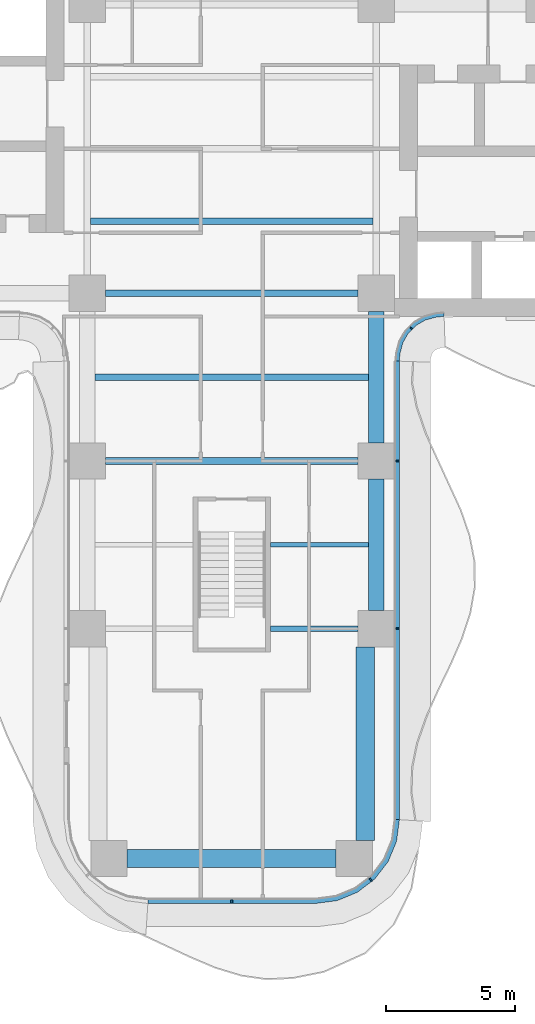
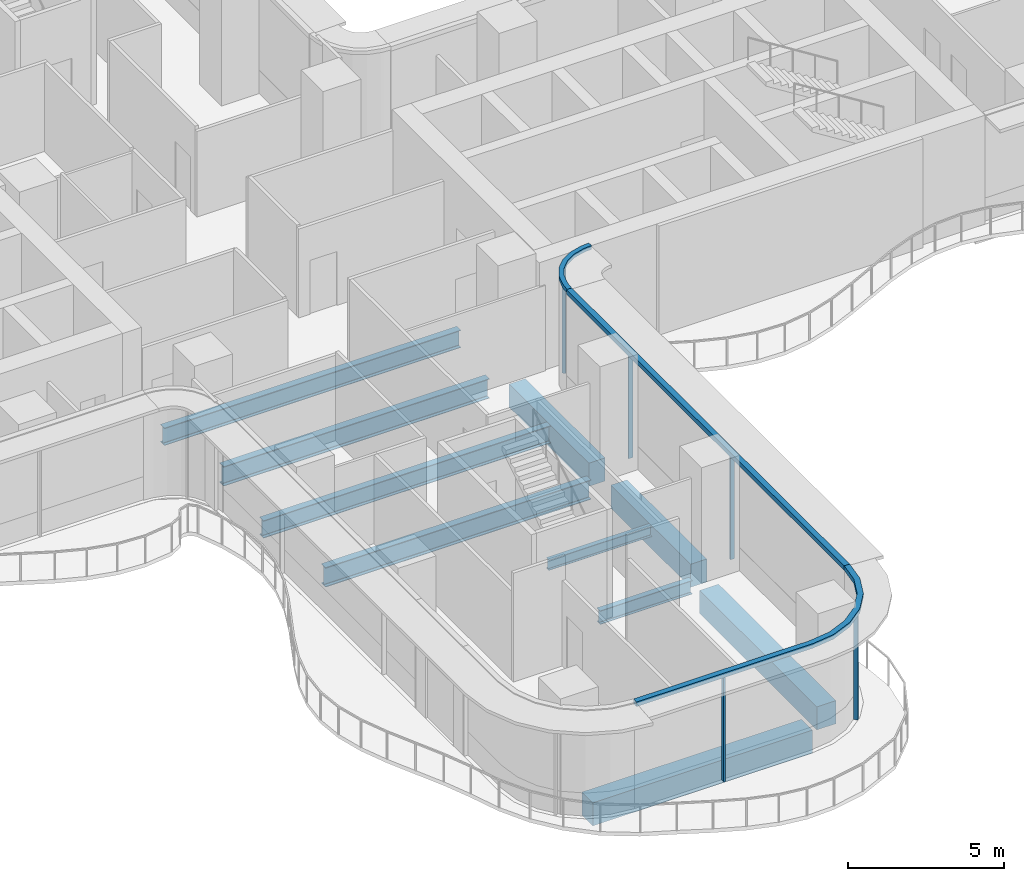
# One storey, part 5 of 22: 10 beams, 8 members, 3 elements without a shape of their own.
"""IFC4 building model written with IfcOpenShell, lengths in metres."""

from ifc_helpers import new_model, si_unit, direction, frame, origin, origin_2d, place, context, subcontext, project, spatial, polyline, rectangle, i_section, outline, extrude, source, transform, mapped, material, layer, layer_set, material_profile, profile_set, type_object, element, aggregate, save


model = new_model("IFC4")

# Units and contexts
model_context = context("Model", 3, precision=1e-05, world=origin(), true_north=direction((0.0, 1.0)))
body_context = subcontext(model_context, "Body", "Model", "MODEL_VIEW")
ifc_project = project(units=[si_unit("LENGTHUNIT", "METRE"), si_unit("AREAUNIT", "SQUARE_METRE"), si_unit("VOLUMEUNIT", "CUBIC_METRE"), si_unit("PLANEANGLEUNIT", "RADIAN"), si_unit("MASSUNIT", "GRAM", prefix="KILO")], contexts=[model_context])

# Site, building, storey
site_placement = place(None, origin())
site = spatial("IfcSite", under=ifc_project, at=site_placement, CompositionType="ELEMENT")
building_placement = place(site_placement, origin())
building = spatial("IfcBuilding", under=site, at=building_placement, Name="Trellis Farm Tower", CompositionType="ELEMENT")
storey_placement = place(building_placement, frame((0.0, 0.0, 61.0)))
storey = spatial("IfcBuildingStorey", under=building, at=storey_placement, Name="L12", CompositionType="ELEMENT", Elevation=61.0)

# Beams
ifc_material_1 = material(Name="Steel S355", Category="steel")
ifc_material_profile_1 = material_profile(ifc_material_1, i_section(OverallWidth=0.253662109375, OverallDepth=0.68359375, WebThickness=0.012451171875, FlangeThickness=0.021728515625, FilletRadius=0.01513671875, at=origin_2d()), Name="UB 686x254x140")
ifc_profile_set_1 = profile_set([ifc_material_profile_1], Name="Steel S355")
beam_type_1 = type_object("IfcBeamType", Name="UB 686x254x140 joist", PredefinedType="JOIST", material=ifc_profile_set_1)
shared_shape_1 = source(origin(), body_context, "Body", "SweptSolid", [
    extrude(i_section(OverallWidth=0.253662109375, OverallDepth=0.68359375, WebThickness=0.012451171875, FlangeThickness=0.021728515625, FilletRadius=0.01513671875, at=origin_2d()), origin(), (0.0, 0.0, 1.0), 10.93310546875),
])
beam_1_placement = place(storey_placement, frame((-5.466552734375, -2.800048828125, -0.591796875), z_axis=(1.0, 0.0, 0.0), x_axis=(0.0, 1.0, 0.0)))
element("IfcBeam", 1, at=beam_1_placement, inside=storey, type_object=beam_type_1, Name="Floor beam", PredefinedType="JOIST", context=body_context, shape_type="MappedRepresentation", body=[
    mapped(shared_shape_1, transform((0.0, 0.0, 0.0))),
])
ifc_material_profile_2 = material_profile(ifc_material_1, i_section(OverallWidth=0.209228515625, OverallDepth=0.533203125, WebThickness=0.010009765625, FlangeThickness=0.015625, FilletRadius=0.0126953125, at=origin_2d()), Name="UB 533x210x92")
ifc_profile_set_2 = profile_set([ifc_material_profile_2], Name="Steel S355")
beam_type_2 = type_object("IfcBeamType", Name="UB 533x210x92", PredefinedType="BEAM", material=ifc_profile_set_2)
shared_shape_2 = source(origin(), body_context, "Body", "SweptSolid", [
    extrude(i_section(OverallWidth=0.209228515625, OverallDepth=0.533203125, WebThickness=0.010009765625, FlangeThickness=0.015625, FilletRadius=0.0126953125, at=origin_2d()), origin(), (0.0, 0.0, 1.0), 3.39990234375),
])
beam_2_placement = place(storey_placement, frame((1.5, -18.60009765625, -0.5166015625), z_axis=(1.0, 0.0, 0.0), x_axis=(0.0, 1.0, 0.0)))
element("IfcBeam", 2, at=beam_2_placement, inside=storey, type_object=beam_type_2, Name="Girder", PredefinedType="BEAM", context=body_context, shape_type="MappedRepresentation", body=[
    mapped(shared_shape_2, transform((0.0, 0.0, 0.0))),
])
ifc_material_2 = material(Name="Concrete C60/75", Category="concrete")
ifc_material_profile_3 = material_profile(ifc_material_2, rectangle(XDim=0.60009765625, YDim=0.89990234375, at=origin_2d()), Name="RC spandrel beam 600x900 C60/75")
ifc_profile_set_3 = profile_set([ifc_material_profile_3], Name="Concrete C60/75")
beam_type_3 = type_object("IfcBeamType", Name="RC spandrel beam 600x900 C60/75", PredefinedType="SPANDREL", material=ifc_profile_set_3)
shared_shape_3 = source(origin(), body_context, "Body", "SweptSolid", [
    extrude(rectangle(XDim=0.60009765625, YDim=0.89990234375, at=origin_2d()), origin(), (0.0, 0.0, 1.0), 5.099853515625),
])
for number, where, z_axis, x_axis, name in (
    (3, (5.60009765625, -17.89990234375, -0.699951171875), (0.0, 1.0, 0.0), (-1.0, 0.0, 0.0), "Girder"),
    (4, (5.60009765625, -11.39990234375, -0.699951171875), (0.0, 1.0, 0.0), (-1.0, 0.0, 0.0), "Girder"),
):
    element("IfcBeam", number, at=place(storey_placement, frame(where, z_axis=z_axis, x_axis=x_axis)), inside=storey, type_object=beam_type_3, Name=name, PredefinedType="SPANDREL", context=body_context, shape_type="MappedRepresentation", body=[
        mapped(shared_shape_3, transform((0.0, 0.0, 0.0))),
    ])
ifc_material_profile_4 = material_profile(ifc_material_1, i_section(OverallWidth=0.2666015625, OverallDepth=0.76220703125, WebThickness=0.014404296875, FlangeThickness=0.021484375, FilletRadius=0.0166015625, at=origin_2d()), Name="UB 762x267x173")
ifc_profile_set_4 = profile_set([ifc_material_profile_4], Name="Steel S355")
beam_type_4 = type_object("IfcBeamType", Name="UB 762x267x173", PredefinedType="BEAM", material=ifc_profile_set_4)
shared_shape_4 = source(origin(), body_context, "Body", "SweptSolid", [
    extrude(i_section(OverallWidth=0.2666015625, OverallDepth=0.76220703125, WebThickness=0.014404296875, FlangeThickness=0.021484375, FilletRadius=0.0166015625, at=origin_2d()), origin(), (0.0, 0.0, 1.0), 9.7998046875),
])
for number, where, z_axis, x_axis, name in (
    (5, (-4.89990234375, -12.10009765625, -0.631103515625), (1.0, 0.0, 0.0), (0.0, 1.0, 0.0), "Girder"),
    (6, (-4.89990234375, -5.60009765625, -0.631103515625), (1.0, 0.0, 0.0), (0.0, 1.0, 0.0), "Girder"),
):
    element("IfcBeam", number, at=place(storey_placement, frame(where, z_axis=z_axis, x_axis=x_axis)), inside=storey, type_object=beam_type_4, Name=name, PredefinedType="BEAM", context=body_context, shape_type="MappedRepresentation", body=[
        mapped(shared_shape_4, transform((0.0, 0.0, 0.0))),
    ])
ifc_material_profile_5 = material_profile(ifc_material_2, rectangle(XDim=0.699951171875, YDim=0.89990234375, at=origin_2d()), Name="RC spandrel beam 700x900 C60/75")
ifc_profile_set_5 = profile_set([ifc_material_profile_5], Name="Concrete C60/75")
beam_type_5 = type_object("IfcBeamType", Name="RC spandrel beam 700x900 C60/75", PredefinedType="SPANDREL", material=ifc_profile_set_5)
shared_shape_5 = source(origin(), body_context, "Body", "SweptSolid", [
    extrude(rectangle(XDim=0.699951171875, YDim=0.89990234375, at=origin_2d()), origin(), (0.0, 0.0, 1.0), 8.10009765625),
])
beam_3_placement = place(storey_placement, frame((-4.050048828125, -27.5, -0.699951171875), z_axis=(1.0, 0.0, 0.0), x_axis=(0.0, 1.0, 0.0)))
element("IfcBeam", 7, at=beam_3_placement, inside=storey, type_object=beam_type_5, Name="Girder", PredefinedType="SPANDREL", context=body_context, shape_type="MappedRepresentation", body=[
    mapped(shared_shape_5, transform((0.0, 0.0, 0.0))),
])
shared_shape_6 = source(origin(), body_context, "Body", "SweptSolid", [
    extrude(rectangle(XDim=0.699951171875, YDim=0.89990234375, at=origin_2d()), origin(), (0.0, 0.0, 1.0), 7.5),
])
beam_4_placement = place(storey_placement, frame((5.175048828125, -26.800048828125, -0.699951171875), z_axis=(0.0, 1.0, 0.0), x_axis=(-1.0, 0.0, 0.0)))
element("IfcBeam", 8, at=beam_4_placement, inside=storey, type_object=beam_type_5, Name="Girder", PredefinedType="SPANDREL", context=body_context, shape_type="MappedRepresentation", body=[
    mapped(shared_shape_6, transform((0.0, 0.0, 0.0))),
])
ifc_material_profile_6 = material_profile(ifc_material_1, i_section(OverallWidth=0.177978515625, OverallDepth=0.406494140625, WebThickness=0.0078125, FlangeThickness=0.0126953125, FilletRadius=0.01025390625, at=origin_2d()), Name="UB 406x178x60")
ifc_profile_set_6 = profile_set([ifc_material_profile_6], Name="Steel S355")
beam_type_6 = type_object("IfcBeamType", Name="UB 406x178x60 joist", PredefinedType="JOIST", material=ifc_profile_set_6)
shared_shape_7 = source(origin(), body_context, "Body", "SweptSolid", [
    extrude(i_section(OverallWidth=0.177978515625, OverallDepth=0.406494140625, WebThickness=0.0078125, FlangeThickness=0.0126953125, FilletRadius=0.01025390625, at=origin_2d()), origin(), (0.0, 0.0, 1.0), 3.800048828125),
])
beam_5_placement = place(storey_placement, frame((1.5, -15.35009765625, -0.453125), z_axis=(1.0, 0.0, 0.0), x_axis=(0.0, 1.0, 0.0)))
element("IfcBeam", 9, at=beam_5_placement, inside=storey, type_object=beam_type_6, Name="Floor beam", PredefinedType="JOIST", context=body_context, shape_type="MappedRepresentation", body=[
    mapped(shared_shape_7, transform((0.0, 0.0, 0.0))),
])
shared_shape_8 = source(origin(), body_context, "Body", "SweptSolid", [
    extrude(i_section(OverallWidth=0.253662109375, OverallDepth=0.68359375, WebThickness=0.012451171875, FlangeThickness=0.021728515625, FilletRadius=0.01513671875, at=origin_2d()), origin(), (0.0, 0.0, 1.0), 10.60009765625),
])
beam_6_placement = place(storey_placement, frame((-5.300048828125, -8.85009765625, -0.591796875), z_axis=(1.0, 0.0, 0.0), x_axis=(0.0, 1.0, 0.0)))
element("IfcBeam", 10, at=beam_6_placement, inside=storey, type_object=beam_type_1, Name="Floor beam", PredefinedType="JOIST", context=body_context, shape_type="MappedRepresentation", body=[
    mapped(shared_shape_8, transform((0.0, 0.0, 0.0))),
])

# Curtain wall, members
ifc_material_3 = material(Name="Aluminium and glass curtain wall", Category="aluminium")
ifc_layer_1 = layer(ifc_material_3, 0.18994140625)
ifc_layer_set_1 = layer_set([ifc_layer_1], Name="RIBBON CURTAIN WALL CW1")
curtain_wall_type_1 = type_object("IfcCurtainWallType", Name="RIBBON CURTAIN WALL CW1", PredefinedType="NOTDEFINED", material=ifc_layer_set_1)
placement_1 = place(storey_placement, origin())
curtain_wall_1 = element("IfcCurtainWall", 11, at=placement_1, inside=storey, type_object=curtain_wall_type_1, Name="CW1 004", PredefinedType="NOTDEFINED")
ifc_material_4 = material(Name="Aluminium extrusion 6063-T6", Category="aluminium")
ifc_material_profile_7 = material_profile(ifc_material_4, rectangle(XDim=0.06005859375, YDim=0.14990234375, at=origin_2d()), Name="MULLION 60x150")
ifc_profile_set_7 = profile_set([ifc_material_profile_7], Name="Aluminium extrusion 6063-T6")
member_type_1 = type_object("IfcMemberType", Name="CW1 MULLION 60x150", PredefinedType="MULLION", material=ifc_profile_set_7)
shared_shape_9 = source(origin(), body_context, "Body", "SweptSolid", [
    extrude(rectangle(XDim=0.06005859375, YDim=0.14990234375, at=origin_2d()), origin(), (0.0, 0.0, 1.0), 4.070068359375),
])
member_1_placement = place(storey_placement, frame((0.0, -29.175048828125, 0.0), z_axis=(0.0, 0.0, 1.0), x_axis=(1.0, 0.0, 0.0)))
member_1 = element("IfcMember", 12, at=member_1_placement, type_object=member_type_1, Name="MU1 004-01", PredefinedType="MULLION", context=body_context, shape_type="MappedRepresentation", body=[
    mapped(shared_shape_9, transform((0.0, 0.0, 0.0))),
])
member_2_placement = place(storey_placement, frame((5.385498046875, -28.328369140625, 0.0), z_axis=(0.0, 0.0, 1.0), x_axis=(0.793353340291, 0.608761429009, 0.0)))
member_2 = element("IfcMember", 13, at=member_2_placement, type_object=member_type_1, Name="MU1 004-02", PredefinedType="MULLION", context=body_context, shape_type="MappedRepresentation", body=[
    mapped(shared_shape_9, transform((0.0, 0.0, 0.0))),
])

curtain_wall_2 = element("IfcCurtainWall", 14, at=placement_1, inside=storey, type_object=curtain_wall_type_1, Name="CW1 005", PredefinedType="NOTDEFINED")
member_3_placement = place(storey_placement, frame((6.425048828125, -18.60009765625, 0.0), z_axis=(0.0, 0.0, 1.0), x_axis=(0.0, 1.0, 0.0)))
member_3 = element("IfcMember", 15, at=member_3_placement, type_object=member_type_1, Name="MU1 005-01", PredefinedType="MULLION", context=body_context, shape_type="MappedRepresentation", body=[
    mapped(shared_shape_9, transform((0.0, 0.0, 0.0))),
])
member_4_placement = place(storey_placement, frame((6.425048828125, -12.10009765625, 0.0), z_axis=(0.0, 0.0, 1.0), x_axis=(0.0, 1.0, 0.0)))
member_4 = element("IfcMember", 16, at=member_4_placement, type_object=member_type_1, Name="MU1 005-02", PredefinedType="MULLION", context=body_context, shape_type="MappedRepresentation", body=[
    mapped(shared_shape_9, transform((0.0, 0.0, 0.0))),
])

# Curtain wall, member
ifc_layer_2 = layer(ifc_material_3, 0.166015625)
ifc_layer_set_2 = layer_set([ifc_layer_2], Name="WINTER GARDEN CURTAIN WALL CW3")
curtain_wall_type_2 = type_object("IfcCurtainWallType", Name="WINTER GARDEN CURTAIN WALL CW3", PredefinedType="NOTDEFINED", material=ifc_layer_set_2)
curtain_wall_3 = element("IfcCurtainWall", 17, at=placement_1, inside=storey, type_object=curtain_wall_type_2, Name="CW3 002", PredefinedType="NOTDEFINED")
ifc_material_profile_8 = material_profile(ifc_material_4, rectangle(XDim=0.050048828125, YDim=0.1201171875, at=origin_2d()), Name="MULLION 50x120")
ifc_profile_set_8 = profile_set([ifc_material_profile_8], Name="Aluminium extrusion 6063-T6")
member_type_2 = type_object("IfcMemberType", Name="CW3 MULLION 50x120", PredefinedType="MULLION", material=ifc_profile_set_8)
shared_shape_10 = source(origin(), body_context, "Body", "SweptSolid", [
    extrude(rectangle(XDim=0.050048828125, YDim=0.1201171875, at=origin_2d()), origin(), (0.0, 0.0, 1.0), 4.10009765625),
])
member_5_placement = place(storey_placement, frame((6.953125, -6.953125, 0.0), z_axis=(0.0, 0.0, 1.0), x_axis=(0.707106781187, 0.707106781187, 0.0)))
member_5 = element("IfcMember", 18, at=member_5_placement, type_object=member_type_2, Name="MU3 002-01", PredefinedType="MULLION", context=body_context, shape_type="MappedRepresentation", body=[
    mapped(shared_shape_10, transform((0.0, 0.0, 0.0))),
])

# Member
ifc_layer_3 = layer(ifc_material_4, 0.199951171875)
ifc_layer_set_3 = layer_set([ifc_layer_3], Name="Aluminium extrusion 6063-T6")
member_type_3 = type_object("IfcMemberType", Name="CW1 TRANSOM 200x180", PredefinedType="USERDEFINED", material=ifc_layer_set_3)
shared_shape_11 = source(origin(), body_context, "Body", "SweptSolid", [
    extrude(outline(polyline([(-3.25, -29.25), (3.25, -29.25), (4.091064453125, -29.13916015625), (4.875, -28.814697265625), (5.548095703125, -28.298095703125), (6.064697265625, -27.625), (6.38916015625, -26.841064453125), (6.5, -26.0), (6.300048828125, -25.98681640625), (6.1943359375, -26.7890625), (5.889892578125, -27.524169921875), (5.405517578125, -28.155517578125), (4.774169921875, -28.639892578125), (4.0390625, -28.9443359375), (3.23681640625, -29.050048828125), (-3.23681640625, -29.050048828125), (-3.25, -29.25)])), origin(), (0.0, 0.0, 1.0), 0.179931640625),
])
placement_2 = place(storey_placement, frame((0.0, 0.0, 4.070068359375)))
member_6 = element("IfcMember", 19, at=placement_2, type_object=member_type_3, Name="TR1 004", ObjectType="TRANSOM", PredefinedType="USERDEFINED", context=body_context, shape_type="MappedRepresentation", body=[
    mapped(shared_shape_11, transform((0.0, 0.0, 0.0))),
])

aggregate(curtain_wall_1, [member_1, member_2, member_6])

shared_shape_12 = source(origin(), body_context, "Body", "SweptSolid", [
    extrude(outline(polyline([(6.5, -26.0), (6.5, -8.2314453125), (6.300048828125, -8.224853515625), (6.300048828125, -25.98681640625), (6.5, -26.0)])), origin(), (0.0, 0.0, 1.0), 0.179931640625),
])
member_7 = element("IfcMember", 20, at=placement_2, type_object=member_type_3, Name="TR1 005", ObjectType="TRANSOM", PredefinedType="USERDEFINED", context=body_context, shape_type="MappedRepresentation", body=[
    mapped(shared_shape_12, transform((0.0, 0.0, 0.0))),
])

aggregate(curtain_wall_2, [member_3, member_4, member_7])

ifc_layer_4 = layer(ifc_material_4, 0.169921875)
ifc_layer_set_4 = layer_set([ifc_layer_4], Name="Aluminium extrusion 6063-T6")
member_type_4 = type_object("IfcMemberType", Name="CW3 TRANSOM 170x150", PredefinedType="USERDEFINED", material=ifc_layer_set_4)
shared_shape_13 = source(origin(), body_context, "Body", "SweptSolid", [
    extrude(outline(polyline([(6.5, -8.2314453125), (6.513916015625, -8.01953125), (6.527587890625, -7.91552734375), (6.63671875, -7.508544921875), (6.846923828125, -7.144287109375), (7.144287109375, -6.846923828125), (7.508544921875, -6.63671875), (7.91552734375, -6.527587890625), (8.01953125, -6.513916015625), (8.2314453125, -6.5), (8.225830078125, -6.330078125), (8.0029296875, -6.3447265625), (7.88232421875, -6.360595703125), (7.44287109375, -6.478271484375), (7.0400390625, -6.7109375), (6.7109375, -7.0400390625), (6.478271484375, -7.44287109375), (6.360595703125, -7.88232421875), (6.3447265625, -8.0029296875), (6.330078125, -8.225830078125), (6.5, -8.2314453125)])), origin(), (0.0, 0.0, 1.0), 0.14990234375),
])
member_8_placement = place(storey_placement, frame((0.0, 0.0, 4.10009765625)))
member_8 = element("IfcMember", 21, at=member_8_placement, type_object=member_type_4, Name="TR3 002", ObjectType="TRANSOM", PredefinedType="USERDEFINED", context=body_context, shape_type="MappedRepresentation", body=[
    mapped(shared_shape_13, transform((0.0, 0.0, 0.0))),
])

aggregate(curtain_wall_3, [member_5, member_8])

save(model, "model.ifc")
